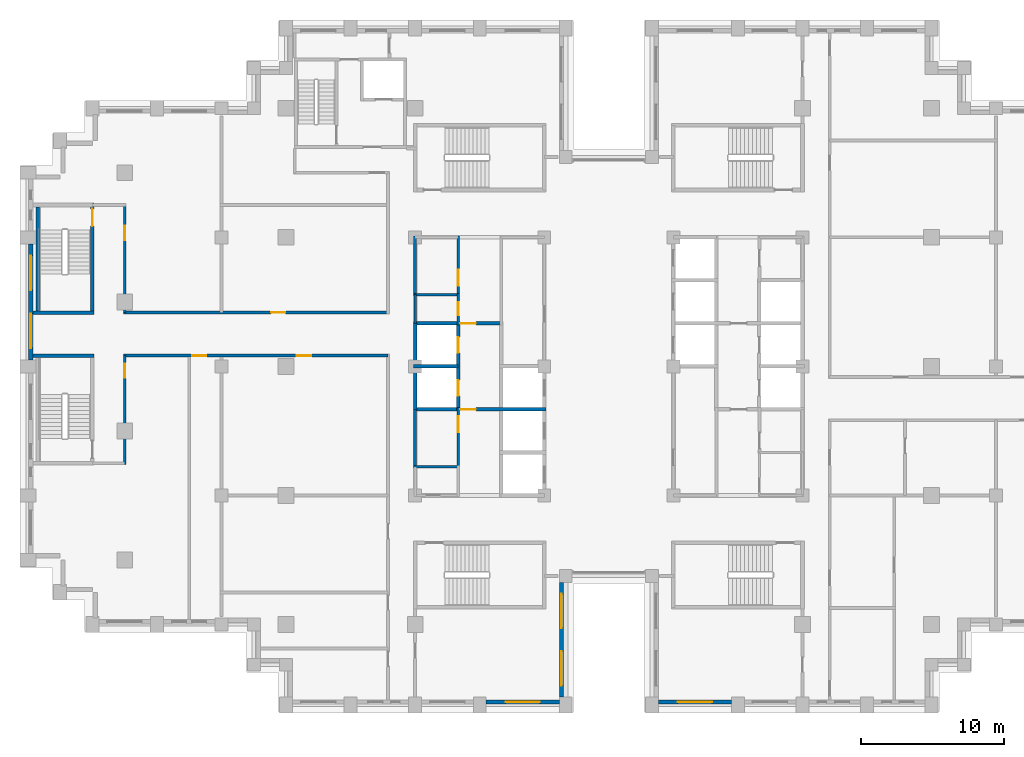
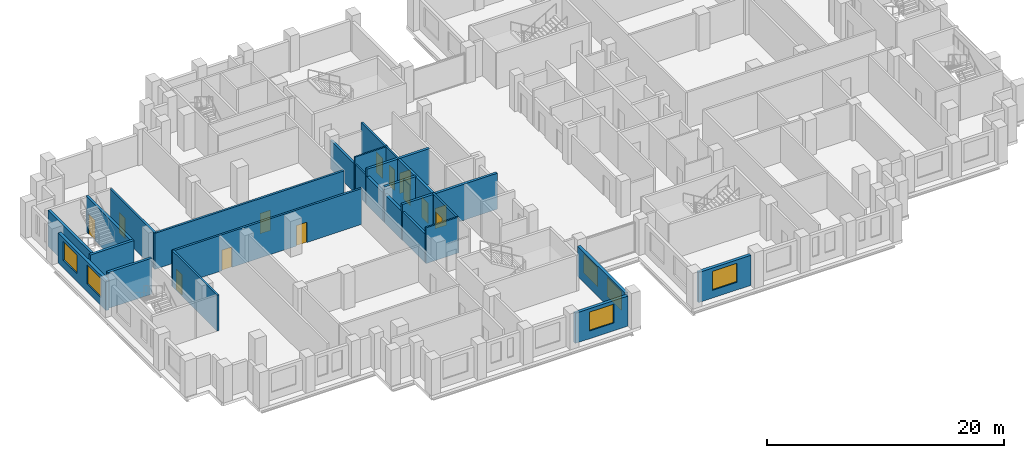
# One storey, part 7 of 15: 25 walls, 13 doors, 6 windows, 19 openings.
"""IFC4 building model written with IfcOpenShell, lengths in metres."""

from ifc_helpers import new_model, si_unit, direction, frame, frame_2d, origin, place, context, subcontext, project, spatial, rectangle, extrude, material, layer, layer_set, type_object, element, fill, save


model = new_model("IFC4")

# Units and contexts
model_context = context("Model", 3, precision=1e-05, world=origin(), true_north=direction((0.0, 1.0)))
body_context = subcontext(model_context, "Body", "Model", "MODEL_VIEW")
ifc_project = project(units=[si_unit("LENGTHUNIT", "METRE"), si_unit("AREAUNIT", "SQUARE_METRE"), si_unit("VOLUMEUNIT", "CUBIC_METRE"), si_unit("PLANEANGLEUNIT", "RADIAN"), si_unit("MASSUNIT", "GRAM", prefix="KILO")], contexts=[model_context])

# Site, building, storey
site_placement = place(None, origin())
site = spatial("IfcSite", under=ifc_project, at=site_placement, CompositionType="ELEMENT")
building_placement = place(site_placement, origin())
building = spatial("IfcBuilding", under=site, at=building_placement, Name="Corbelhall Arena Tower", CompositionType="ELEMENT")
storey_placement = place(building_placement, frame((0.0, 0.0, 142.0)))
storey = spatial("IfcBuildingStorey", under=building, at=storey_placement, Name="L27", CompositionType="ELEMENT", Elevation=142.0)

# Wall, openings, windows
ifc_material_1 = material(Name="Precast concrete C40/50 with granite facing", Category="masonry")
ifc_layer_1 = layer(ifc_material_1, 0.300048828125)
ifc_layer_set_1 = layer_set([ifc_layer_1], Name="EV-IW1 Infill panel 300")
wall_type_1 = type_object("IfcWallType", Name="EV-IW1 Infill panel 300", PredefinedType="SOLIDWALL", material=ifc_layer_set_1)
wall_1_placement = place(storey_placement, frame((-40.300048828125, 8.550048828125, 0.0), z_axis=(0.0, 0.0, 1.0), x_axis=(0.0, -1.0, 0.0)))
wall_1 = element("IfcWall", 1, at=wall_1_placement, inside=storey, type_object=wall_type_1, Name="Infill panel IW1", PredefinedType="SOLIDWALL", context=body_context, shape_type="SweptSolid", body=[
    extrude(rectangle(XDim=8.10009765625, YDim=0.300048828125, at=frame_2d((4.050048828125, 0.0))), origin(), (0.0, 0.0, 1.0), 3.10009765625),
])
opening_1_placement = place(wall_1_placement, frame((0.824951171875, 0.0, 0.800048828125)))
opening_1 = element("IfcOpeningElement", 2, at=opening_1_placement, cuts=wall_1, Name="Opening WN1", PredefinedType="OPENING", context=body_context, shape_type="SweptSolid", body=[
    extrude(rectangle(XDim=2.39990234375, YDim=1.949951171875, at=frame_2d((1.199951171875, 0.97509765625))), frame((0.0, 0.14990234375, 0.0), z_axis=(0.0, -1.0, 0.0), x_axis=(1.0, 0.0, 0.0)), (0.0, 0.0, 1.0), 0.300048828125),
])
opening_2_placement = place(wall_1_placement, frame((4.875, 0.0, 0.800048828125)))
opening_2 = element("IfcOpeningElement", 3, at=opening_2_placement, cuts=wall_1, Name="Opening WN1", PredefinedType="OPENING", context=body_context, shape_type="SweptSolid", body=[
    extrude(rectangle(XDim=2.39990234375, YDim=1.949951171875, at=frame_2d((1.199951171875, 0.97509765625))), frame((0.0, 0.14990234375, 0.0), z_axis=(0.0, -1.0, 0.0), x_axis=(1.0, 0.0, 0.0)), (0.0, 0.0, 1.0), 0.300048828125),
])
ifc_material_2 = material(Name="Aluminium black anodised", Category="aluminium")
window_type = type_object("IfcWindowType", Name="EV-WN1 Office window", PartitioningType="SINGLE_PANEL", PredefinedType="WINDOW", material=ifc_material_2)
window_1_placement = place(opening_1_placement, origin())
window_1 = element("IfcWindow", 4, at=window_1_placement, inside=storey, type_object=window_type, Name="Window WN1", OverallHeight=1.949951171875, OverallWidth=2.39990234375, PartitioningType="SINGLE_PANEL", PredefinedType="WINDOW", context=body_context, shape_type="SweptSolid", body=[
    extrude(rectangle(XDim=2.39990234375, YDim=1.949951171875, at=frame_2d((1.199951171875, 0.97509765625))), frame((0.0, 0.030029296875, 0.0), z_axis=(0.0, -1.0, 0.0), x_axis=(1.0, 0.0, 0.0)), (0.0, 0.0, 1.0), 0.06005859375),
])
fill(opening_1, window_1)
window_2_placement = place(opening_2_placement, origin())
window_2 = element("IfcWindow", 5, at=window_2_placement, inside=storey, type_object=window_type, Name="Window WN1", OverallHeight=1.949951171875, OverallWidth=2.39990234375, PartitioningType="SINGLE_PANEL", PredefinedType="WINDOW", context=body_context, shape_type="SweptSolid", body=[
    extrude(rectangle(XDim=2.39990234375, YDim=1.949951171875, at=frame_2d((1.199951171875, 0.97509765625))), frame((0.0, 0.030029296875, 0.0), z_axis=(0.0, -1.0, 0.0), x_axis=(1.0, 0.0, 0.0)), (0.0, 0.0, 1.0), 0.06005859375),
])
fill(opening_2, window_2)

# Wall, opening, window
wall_2_placement = place(storey_placement, frame((-8.550048828125, -23.39990234375, 0.0), z_axis=(0.0, 0.0, 1.0), x_axis=(1.0, 0.0, 0.0)))
wall_2 = element("IfcWall", 6, at=wall_2_placement, inside=storey, type_object=wall_type_1, Name="Infill panel IW1", PredefinedType="SOLIDWALL", context=body_context, shape_type="SweptSolid", body=[
    extrude(rectangle(XDim=5.10009765625, YDim=0.300048828125, at=frame_2d((2.550048828125, 0.0))), origin(), (0.0, 0.0, 1.0), 3.10009765625),
])
opening_3_placement = place(wall_2_placement, frame((1.35009765625, 0.0, 0.800048828125)))
opening_3 = element("IfcOpeningElement", 7, at=opening_3_placement, cuts=wall_2, Name="Opening WN1", PredefinedType="OPENING", context=body_context, shape_type="SweptSolid", body=[
    extrude(rectangle(XDim=2.39990234375, YDim=1.949951171875, at=frame_2d((1.199951171875, 0.97509765625))), frame((0.0, 0.14990234375, 0.0), z_axis=(0.0, -1.0, 0.0), x_axis=(1.0, 0.0, 0.0)), (0.0, 0.0, 1.0), 0.300048828125),
])
window_3_placement = place(opening_3_placement, origin())
window_3 = element("IfcWindow", 8, at=window_3_placement, inside=storey, type_object=window_type, Name="Window WN1", OverallHeight=1.949951171875, OverallWidth=2.39990234375, PartitioningType="SINGLE_PANEL", PredefinedType="WINDOW", context=body_context, shape_type="SweptSolid", body=[
    extrude(rectangle(XDim=2.39990234375, YDim=1.949951171875, at=frame_2d((1.199951171875, 0.97509765625))), frame((0.0, 0.030029296875, 0.0), z_axis=(0.0, -1.0, 0.0), x_axis=(1.0, 0.0, 0.0)), (0.0, 0.0, 1.0), 0.06005859375),
])
fill(opening_3, window_3)

# Wall, openings, windows
wall_3_placement = place(storey_placement, frame((-3.300048828125, -23.050048828125, 0.0), z_axis=(0.0, 0.0, 1.0), x_axis=(0.0, 1.0, 0.0)))
wall_3 = element("IfcWall", 9, at=wall_3_placement, inside=storey, type_object=wall_type_1, Name="Infill panel IW1", PredefinedType="SOLIDWALL", context=body_context, shape_type="SweptSolid", body=[
    extrude(rectangle(XDim=8.0, YDim=0.300048828125, at=frame_2d((4.0, 0.0))), origin(), (0.0, 0.0, 1.0), 3.10009765625),
])
opening_4_placement = place(wall_3_placement, frame((0.800048828125, 0.0, 0.800048828125)))
opening_4 = element("IfcOpeningElement", 10, at=opening_4_placement, cuts=wall_3, Name="Opening WN1", PredefinedType="OPENING", context=body_context, shape_type="SweptSolid", body=[
    extrude(rectangle(XDim=2.39990234375, YDim=1.949951171875, at=frame_2d((1.199951171875, 0.97509765625))), frame((0.0, 0.14990234375, 0.0), z_axis=(0.0, -1.0, 0.0), x_axis=(1.0, 0.0, 0.0)), (0.0, 0.0, 1.0), 0.300048828125),
])
opening_5_placement = place(wall_3_placement, frame((4.800048828125, 0.0, 0.800048828125)))
opening_5 = element("IfcOpeningElement", 11, at=opening_5_placement, cuts=wall_3, Name="Opening WN1", PredefinedType="OPENING", context=body_context, shape_type="SweptSolid", body=[
    extrude(rectangle(XDim=2.39990234375, YDim=1.949951171875, at=frame_2d((1.199951171875, 0.97509765625))), frame((0.0, 0.14990234375, 0.0), z_axis=(0.0, -1.0, 0.0), x_axis=(1.0, 0.0, 0.0)), (0.0, 0.0, 1.0), 0.300048828125),
])
window_4_placement = place(opening_4_placement, origin())
window_4 = element("IfcWindow", 12, at=window_4_placement, inside=storey, type_object=window_type, Name="Window WN1", OverallHeight=1.949951171875, OverallWidth=2.39990234375, PartitioningType="SINGLE_PANEL", PredefinedType="WINDOW", context=body_context, shape_type="SweptSolid", body=[
    extrude(rectangle(XDim=2.39990234375, YDim=1.949951171875, at=frame_2d((1.199951171875, 0.97509765625))), frame((0.0, 0.030029296875, 0.0), z_axis=(0.0, -1.0, 0.0), x_axis=(1.0, 0.0, 0.0)), (0.0, 0.0, 1.0), 0.06005859375),
])
fill(opening_4, window_4)
window_5_placement = place(opening_5_placement, origin())
window_5 = element("IfcWindow", 13, at=window_5_placement, inside=storey, type_object=window_type, Name="Window WN1", OverallHeight=1.949951171875, OverallWidth=2.39990234375, PartitioningType="SINGLE_PANEL", PredefinedType="WINDOW", context=body_context, shape_type="SweptSolid", body=[
    extrude(rectangle(XDim=2.39990234375, YDim=1.949951171875, at=frame_2d((1.199951171875, 0.97509765625))), frame((0.0, 0.030029296875, 0.0), z_axis=(0.0, -1.0, 0.0), x_axis=(1.0, 0.0, 0.0)), (0.0, 0.0, 1.0), 0.06005859375),
])
fill(opening_5, window_5)

# Wall, opening, window
wall_4_placement = place(storey_placement, frame((3.449951171875, -23.39990234375, 0.0), z_axis=(0.0, 0.0, 1.0), x_axis=(1.0, 0.0, 0.0)))
wall_4 = element("IfcWall", 14, at=wall_4_placement, inside=storey, type_object=wall_type_1, Name="Infill panel IW1", PredefinedType="SOLIDWALL", context=body_context, shape_type="SweptSolid", body=[
    extrude(rectangle(XDim=5.10009765625, YDim=0.300048828125, at=frame_2d((2.550048828125, 0.0))), origin(), (0.0, 0.0, 1.0), 3.10009765625),
])
opening_6_placement = place(wall_4_placement, frame((1.35009765625, 0.0, 0.800048828125)))
opening_6 = element("IfcOpeningElement", 15, at=opening_6_placement, cuts=wall_4, Name="Opening WN1", PredefinedType="OPENING", context=body_context, shape_type="SweptSolid", body=[
    extrude(rectangle(XDim=2.39990234375, YDim=1.949951171875, at=frame_2d((1.199951171875, 0.97509765625))), frame((0.0, 0.14990234375, 0.0), z_axis=(0.0, -1.0, 0.0), x_axis=(1.0, 0.0, 0.0)), (0.0, 0.0, 1.0), 0.300048828125),
])
window_6_placement = place(opening_6_placement, origin())
window_6 = element("IfcWindow", 16, at=window_6_placement, inside=storey, type_object=window_type, Name="Window WN1", OverallHeight=1.949951171875, OverallWidth=2.39990234375, PartitioningType="SINGLE_PANEL", PredefinedType="WINDOW", context=body_context, shape_type="SweptSolid", body=[
    extrude(rectangle(XDim=2.39990234375, YDim=1.949951171875, at=frame_2d((1.199951171875, 0.97509765625))), frame((0.0, 0.030029296875, 0.0), z_axis=(0.0, -1.0, 0.0), x_axis=(1.0, 0.0, 0.0)), (0.0, 0.0, 1.0), 0.06005859375),
])
fill(opening_6, window_6)

# Wall, opening, door
ifc_material_3 = material(Name="Gypsum board on steel stud, acoustic", Category="steel")
ifc_layer_2 = layer(ifc_material_3, 0.199951171875)
ifc_layer_set_2 = layer_set([ifc_layer_2], Name="IN-W-DM200")
wall_type_2 = type_object("IfcWallType", Name="IN-W-DM200", PredefinedType="PARTITIONING", material=ifc_layer_set_2)
wall_5_placement = place(storey_placement, frame((-33.85009765625, 3.75, 0.0), z_axis=(0.0, 0.0, 1.0), x_axis=(1.0, 0.0, 0.0)))
wall_5 = element("IfcWall", 17, at=wall_5_placement, inside=storey, type_object=wall_type_2, Name="Partition 002", PredefinedType="PARTITIONING", context=body_context, shape_type="SweptSolid", body=[
    extrude(rectangle(XDim=18.4501953125, YDim=0.199951171875, at=frame_2d((9.22509765625, 0.0))), origin(), (0.0, 0.0, 1.0), 3.699951171875),
])
opening_7_placement = place(wall_5_placement, frame((10.300048828125, 0.0, 0.0)))
opening_7 = element("IfcOpeningElement", 18, at=opening_7_placement, cuts=wall_5, Name="Opening 07026", PredefinedType="OPENING", context=body_context, shape_type="SweptSolid", body=[
    extrude(rectangle(XDim=1.0, YDim=2.10009765625, at=frame_2d((0.5, 1.050048828125))), frame((0.0, 0.10009765625, 0.0), z_axis=(0.0, -1.0, 0.0), x_axis=(1.0, 0.0, 0.0)), (0.0, 0.0, 1.0), 0.199951171875),
])
ifc_material_4 = material(Name="Steel door set", Category="steel")
door_type_1 = type_object("IfcDoorType", Name="IN-D-SW100", OperationType="NOTDEFINED", PredefinedType="DOOR", material=ifc_material_4)
door_1_placement = place(opening_7_placement, origin())
door_1 = element("IfcDoor", 19, at=door_1_placement, inside=storey, type_object=door_type_1, Name="Door 026", OperationType="SINGLE_SWING_LEFT", OverallHeight=2.10009765625, OverallWidth=1.0, PredefinedType="DOOR", context=body_context, shape_type="SweptSolid", body=[
    extrude(rectangle(XDim=1.0, YDim=2.10009765625, at=frame_2d((0.5, 1.050048828125))), frame((0.0, 0.02490234375, 0.0), z_axis=(0.0, -1.0, 0.0), x_axis=(1.0, 0.0, 0.0)), (0.0, 0.0, 1.0), 0.050048828125),
])
fill(opening_7, door_1)

wall_6_placement = place(storey_placement, frame((-33.75, 0.75, 0.0), z_axis=(0.0, 0.0, 1.0), x_axis=(0.0, -1.0, 0.0)))
wall_6 = element("IfcWall", 20, at=wall_6_placement, inside=storey, type_object=wall_type_2, Name="Partition 004", PredefinedType="PARTITIONING", context=body_context, shape_type="SweptSolid", body=[
    extrude(rectangle(XDim=7.60009765625, YDim=0.199951171875, at=frame_2d((3.800048828125, 0.0))), origin(), (0.0, 0.0, 1.0), 3.699951171875),
])
opening_8_placement = place(wall_6_placement, frame((0.550048828125, 0.0, 0.0)))
opening_8 = element("IfcOpeningElement", 21, at=opening_8_placement, cuts=wall_6, Name="Opening 07041", PredefinedType="OPENING", context=body_context, shape_type="SweptSolid", body=[
    extrude(rectangle(XDim=1.0, YDim=2.10009765625, at=frame_2d((0.5, 1.050048828125))), frame((0.0, 0.10009765625, 0.0), z_axis=(0.0, -1.0, 0.0), x_axis=(1.0, 0.0, 0.0)), (0.0, 0.0, 1.0), 0.199951171875),
])
door_2_placement = place(opening_8_placement, origin())
door_2 = element("IfcDoor", 22, at=door_2_placement, inside=storey, type_object=door_type_1, Name="Door 041", OperationType="SINGLE_SWING_RIGHT", OverallHeight=2.10009765625, OverallWidth=1.0, PredefinedType="DOOR", context=body_context, shape_type="SweptSolid", body=[
    extrude(rectangle(XDim=1.0, YDim=2.10009765625, at=frame_2d((0.5, 1.050048828125))), frame((0.0, 0.02490234375, 0.0), z_axis=(0.0, -1.0, 0.0), x_axis=(1.0, 0.0, 0.0)), (0.0, 0.0, 1.0), 0.050048828125),
])
fill(opening_8, door_2)

wall_7_placement = place(storey_placement, frame((-33.75, 11.25, 0.0), z_axis=(0.0, 0.0, 1.0), x_axis=(0.0, -1.0, 0.0)))
wall_7 = element("IfcWall", 23, at=wall_7_placement, inside=storey, type_object=wall_type_2, Name="Partition 005", PredefinedType="PARTITIONING", context=body_context, shape_type="SweptSolid", body=[
    extrude(rectangle(XDim=7.5, YDim=0.199951171875, at=frame_2d((3.75, 0.0))), origin(), (0.0, 0.0, 1.0), 3.699951171875),
])
opening_9_placement = place(wall_7_placement, frame((1.449951171875, 0.0, 0.0)))
opening_9 = element("IfcOpeningElement", 24, at=opening_9_placement, cuts=wall_7, Name="Opening 07040", PredefinedType="OPENING", context=body_context, shape_type="SweptSolid", body=[
    extrude(rectangle(XDim=1.0, YDim=2.10009765625, at=frame_2d((0.5, 1.050048828125))), frame((0.0, 0.10009765625, 0.0), z_axis=(0.0, -1.0, 0.0), x_axis=(1.0, 0.0, 0.0)), (0.0, 0.0, 1.0), 0.199951171875),
])
door_3_placement = place(opening_9_placement, origin())
door_3 = element("IfcDoor", 25, at=door_3_placement, inside=storey, type_object=door_type_1, Name="Door 040", OperationType="SINGLE_SWING_LEFT", OverallHeight=2.10009765625, OverallWidth=1.0, PredefinedType="DOOR", context=body_context, shape_type="SweptSolid", body=[
    extrude(rectangle(XDim=1.0, YDim=2.10009765625, at=frame_2d((0.5, 1.050048828125))), frame((0.0, 0.02490234375, 0.0), z_axis=(0.0, -1.0, 0.0), x_axis=(1.0, 0.0, 0.0)), (0.0, 0.0, 1.0), 0.050048828125),
])
fill(opening_9, door_3)

# Wall, openings, doors
wall_8_placement = place(storey_placement, frame((-15.39990234375, 0.75, 0.0), z_axis=(0.0, 0.0, 1.0), x_axis=(-1.0, 0.0, 0.0)))
wall_8 = element("IfcWall", 26, at=wall_8_placement, inside=storey, type_object=wall_type_2, Name="Partition 007", PredefinedType="PARTITIONING", context=body_context, shape_type="SweptSolid", body=[
    extrude(rectangle(XDim=18.4501953125, YDim=0.199951171875, at=frame_2d((9.22509765625, 0.0))), origin(), (0.0, 0.0, 1.0), 3.699951171875),
])
opening_10_placement = place(wall_8_placement, frame((5.35009765625, 0.0, 0.0)))
opening_10 = element("IfcOpeningElement", 27, at=opening_10_placement, cuts=wall_8, Name="Opening 07031", PredefinedType="OPENING", context=body_context, shape_type="SweptSolid", body=[
    extrude(rectangle(XDim=1.0, YDim=2.10009765625, at=frame_2d((0.5, 1.050048828125))), frame((0.0, 0.10009765625, 0.0), z_axis=(0.0, -1.0, 0.0), x_axis=(1.0, 0.0, 0.0)), (0.0, 0.0, 1.0), 0.199951171875),
])
opening_11_placement = place(wall_8_placement, frame((12.64990234375, 0.0, 0.0)))
opening_11 = element("IfcOpeningElement", 28, at=opening_11_placement, cuts=wall_8, Name="Opening 07042", PredefinedType="OPENING", context=body_context, shape_type="SweptSolid", body=[
    extrude(rectangle(XDim=1.0, YDim=2.10009765625, at=frame_2d((0.5, 1.050048828125))), frame((0.0, 0.10009765625, 0.0), z_axis=(0.0, -1.0, 0.0), x_axis=(1.0, 0.0, 0.0)), (0.0, 0.0, 1.0), 0.199951171875),
])
door_4_placement = place(opening_10_placement, origin())
door_4 = element("IfcDoor", 29, at=door_4_placement, inside=storey, type_object=door_type_1, Name="Door 031", OperationType="SINGLE_SWING_RIGHT", OverallHeight=2.10009765625, OverallWidth=1.0, PredefinedType="DOOR", context=body_context, shape_type="SweptSolid", body=[
    extrude(rectangle(XDim=1.0, YDim=2.10009765625, at=frame_2d((0.5, 1.050048828125))), frame((0.0, 0.02490234375, 0.0), z_axis=(0.0, -1.0, 0.0), x_axis=(1.0, 0.0, 0.0)), (0.0, 0.0, 1.0), 0.050048828125),
])
fill(opening_10, door_4)
door_5_placement = place(opening_11_placement, origin())
door_5 = element("IfcDoor", 30, at=door_5_placement, inside=storey, type_object=door_type_1, Name="Door 042", OperationType="SINGLE_SWING_LEFT", OverallHeight=2.10009765625, OverallWidth=1.0, PredefinedType="DOOR", context=body_context, shape_type="SweptSolid", body=[
    extrude(rectangle(XDim=1.0, YDim=2.10009765625, at=frame_2d((0.5, 1.050048828125))), frame((0.0, 0.02490234375, 0.0), z_axis=(0.0, -1.0, 0.0), x_axis=(1.0, 0.0, 0.0)), (0.0, 0.0, 1.0), 0.050048828125),
])
fill(opening_11, door_5)

# Wall, opening, door
ifc_material_5 = material(Name="Concrete block wall", Category="concrete")
ifc_layer_3 = layer(ifc_material_5, 0.199951171875)
ifc_layer_set_3 = layer_set([ifc_layer_3], Name="IN-W-RS200")
wall_type_3 = type_object("IfcWallType", Name="IN-W-RS200", PredefinedType="SOLIDWALL", material=ifc_layer_set_3)
wall_9_placement = place(storey_placement, frame((-10.5, -7.074951171875, 0.0), z_axis=(0.0, 0.0, 1.0), x_axis=(0.0, 1.0, 0.0)))
wall_9 = element("IfcWall", 31, at=wall_9_placement, inside=storey, type_object=wall_type_3, Name="Partition 049", PredefinedType="SOLIDWALL", context=body_context, shape_type="SweptSolid", body=[
    extrude(rectangle(XDim=4.199951171875, YDim=0.199951171875, at=frame_2d((2.10009765625, 0.0))), origin(), (0.0, 0.0, 1.0), 3.699951171875),
])
opening_12_placement = place(wall_9_placement, frame((2.5, 0.0, 0.0)))
opening_12 = element("IfcOpeningElement", 32, at=opening_12_placement, cuts=wall_9, Name="Opening 07005", PredefinedType="OPENING", context=body_context, shape_type="SweptSolid", body=[
    extrude(rectangle(XDim=1.10009765625, YDim=2.10009765625, at=frame_2d((0.550048828125, 1.050048828125))), frame((0.0, 0.10009765625, 0.0), z_axis=(0.0, -1.0, 0.0), x_axis=(1.0, 0.0, 0.0)), (0.0, 0.0, 1.0), 0.199951171875),
])
door_type_2 = type_object("IfcDoorType", Name="IN-D-FD110", OperationType="NOTDEFINED", PredefinedType="DOOR", material=ifc_material_4)
door_6_placement = place(opening_12_placement, origin())
door_6 = element("IfcDoor", 33, at=door_6_placement, inside=storey, type_object=door_type_2, Name="Door 005", OperationType="SINGLE_SWING_RIGHT", OverallHeight=2.10009765625, OverallWidth=1.10009765625, PredefinedType="DOOR", context=body_context, shape_type="SweptSolid", body=[
    extrude(rectangle(XDim=1.10009765625, YDim=2.10009765625, at=frame_2d((0.550048828125, 1.050048828125))), frame((0.0, 0.02490234375, 0.0), z_axis=(0.0, -1.0, 0.0), x_axis=(1.0, 0.0, 0.0)), (0.0, 0.0, 1.0), 0.050048828125),
])
fill(opening_12, door_6)

wall_10_placement = place(storey_placement, frame((-10.5, 4.925048828125, 0.0), z_axis=(0.0, 0.0, 1.0), x_axis=(0.0, 1.0, 0.0)))
wall_10 = element("IfcWall", 34, at=wall_10_placement, inside=storey, type_object=wall_type_3, Name="Partition 050", PredefinedType="SOLIDWALL", context=body_context, shape_type="SweptSolid", body=[
    extrude(rectangle(XDim=4.175048828125, YDim=0.199951171875, at=frame_2d((2.08740234375, 0.0))), origin(), (0.0, 0.0, 1.0), 3.699951171875),
])
opening_13_placement = place(wall_10_placement, frame((0.699951171875, 0.0, 0.0)))
opening_13 = element("IfcOpeningElement", 35, at=opening_13_placement, cuts=wall_10, Name="Opening 07007", PredefinedType="OPENING", context=body_context, shape_type="SweptSolid", body=[
    extrude(rectangle(XDim=1.10009765625, YDim=2.10009765625, at=frame_2d((0.550048828125, 1.050048828125))), frame((0.0, 0.10009765625, 0.0), z_axis=(0.0, -1.0, 0.0), x_axis=(1.0, 0.0, 0.0)), (0.0, 0.0, 1.0), 0.199951171875),
])
door_7_placement = place(opening_13_placement, origin())
door_7 = element("IfcDoor", 36, at=door_7_placement, inside=storey, type_object=door_type_2, Name="Door 007", OperationType="SINGLE_SWING_RIGHT", OverallHeight=2.10009765625, OverallWidth=1.10009765625, PredefinedType="DOOR", context=body_context, shape_type="SweptSolid", body=[
    extrude(rectangle(XDim=1.10009765625, YDim=2.10009765625, at=frame_2d((0.550048828125, 1.050048828125))), frame((0.0, 0.02490234375, 0.0), z_axis=(0.0, -1.0, 0.0), x_axis=(1.0, 0.0, 0.0)), (0.0, 0.0, 1.0), 0.050048828125),
])
fill(opening_13, door_7)

# Walls
ifc_layer_4 = layer(ifc_material_5, 0.199951171875)
ifc_layer_set_4 = layer_set([ifc_layer_4], Name="IN-W-RS200 under beam 762 mm")
wall_type_4 = type_object("IfcWallType", Name="IN-W-RS200 under beam 762 mm", PredefinedType="SOLIDWALL", material=ifc_layer_set_4)
wall_11_placement = place(storey_placement, frame((-13.5, -7.0, 0.0), z_axis=(0.0, 0.0, 1.0), x_axis=(0.0, 1.0, 0.0)))
element("IfcWall", 37, at=wall_11_placement, inside=storey, type_object=wall_type_4, Name="Partition 046", PredefinedType="SOLIDWALL", context=body_context, shape_type="SweptSolid", body=[
    extrude(rectangle(XDim=4.0, YDim=0.199951171875, at=frame_2d((2.0, 0.0))), origin(), (0.0, 0.0, 1.0), 2.93798828125),
])
wall_12_placement = place(storey_placement, frame((-13.5, 5.0, 0.0), z_axis=(0.0, 0.0, 1.0), x_axis=(0.0, 1.0, 0.0)))
element("IfcWall", 38, at=wall_12_placement, inside=storey, type_object=wall_type_4, Name="Partition 047", PredefinedType="SOLIDWALL", context=body_context, shape_type="SweptSolid", body=[
    extrude(rectangle(XDim=4.10009765625, YDim=0.199951171875, at=frame_2d((2.050048828125, 0.0))), origin(), (0.0, 0.0, 1.0), 2.93798828125),
])
ifc_material_6 = material(Name="Concrete C40/50", Category="concrete")
ifc_layer_5 = layer(ifc_material_6, 0.25)
ifc_layer_set_5 = layer_set([ifc_layer_5], Name="IN-W-SH250")
wall_type_5 = type_object("IfcWallType", Name="IN-W-SH250", PredefinedType="SOLIDWALL", material=ifc_layer_set_5)
wall_13_placement = place(storey_placement, frame((-13.625, 0.0, 0.0), z_axis=(0.0, 0.0, 1.0), x_axis=(1.0, 0.0, 0.0)))
element("IfcWall", 39, at=wall_13_placement, inside=storey, type_object=wall_type_5, Name="Shaft wall 062", PredefinedType="SOLIDWALL", context=body_context, shape_type="SweptSolid", body=[
    extrude(rectangle(XDim=3.125, YDim=0.25, at=frame_2d((1.5625, 0.0))), origin(), (0.0, 0.0, 1.0), 3.699951171875),
])

# Wall, opening, door
wall_14_placement = place(storey_placement, frame((-13.625, 3.0, 0.0), z_axis=(0.0, 0.0, 1.0), x_axis=(1.0, 0.0, 0.0)))
wall_14 = element("IfcWall", 40, at=wall_14_placement, inside=storey, type_object=wall_type_5, Name="Shaft wall 063", PredefinedType="SOLIDWALL", context=body_context, shape_type="SweptSolid", body=[
    extrude(rectangle(XDim=6.125, YDim=0.25, at=frame_2d((3.0625, 0.0))), origin(), (0.0, 0.0, 1.0), 3.699951171875),
])
opening_14_placement = place(wall_14_placement, frame((3.25, 0.0, 0.0)))
opening_14 = element("IfcOpeningElement", 41, at=opening_14_placement, cuts=wall_14, Name="Opening 07003", PredefinedType="OPENING", context=body_context, shape_type="SweptSolid", body=[
    extrude(rectangle(XDim=1.10009765625, YDim=2.10009765625, at=frame_2d((0.550048828125, 1.050048828125))), frame((0.0, 0.125, 0.0), z_axis=(0.0, -1.0, 0.0), x_axis=(1.0, 0.0, 0.0)), (0.0, 0.0, 1.0), 0.25),
])
door_8_placement = place(opening_14_placement, origin())
door_8 = element("IfcDoor", 42, at=door_8_placement, inside=storey, type_object=door_type_2, Name="Door 003", OperationType="SINGLE_SWING_RIGHT", OverallHeight=2.10009765625, OverallWidth=1.10009765625, PredefinedType="DOOR", context=body_context, shape_type="SweptSolid", body=[
    extrude(rectangle(XDim=1.10009765625, YDim=2.10009765625, at=frame_2d((0.550048828125, 1.050048828125))), frame((0.0, 0.02490234375, 0.0), z_axis=(0.0, -1.0, 0.0), x_axis=(1.0, 0.0, 0.0)), (0.0, 0.0, 1.0), 0.050048828125),
])
fill(opening_14, door_8)

wall_15_placement = place(storey_placement, frame((-13.625, -3.0, 0.0), z_axis=(0.0, 0.0, 1.0), x_axis=(1.0, 0.0, 0.0)))
wall_15 = element("IfcWall", 43, at=wall_15_placement, inside=storey, type_object=wall_type_5, Name="Shaft wall 065", PredefinedType="SOLIDWALL", context=body_context, shape_type="SweptSolid", body=[
    extrude(rectangle(XDim=9.25, YDim=0.25, at=frame_2d((4.625, 0.0))), origin(), (0.0, 0.0, 1.0), 3.699951171875),
])
opening_15_placement = place(wall_15_placement, frame((3.25, 0.0, 0.0)))
opening_15 = element("IfcOpeningElement", 44, at=opening_15_placement, cuts=wall_15, Name="Opening 07002", PredefinedType="OPENING", context=body_context, shape_type="SweptSolid", body=[
    extrude(rectangle(XDim=1.10009765625, YDim=2.10009765625, at=frame_2d((0.550048828125, 1.050048828125))), frame((0.0, 0.125, 0.0), z_axis=(0.0, -1.0, 0.0), x_axis=(1.0, 0.0, 0.0)), (0.0, 0.0, 1.0), 0.25),
])
door_9_placement = place(opening_15_placement, origin())
door_9 = element("IfcDoor", 45, at=door_9_placement, inside=storey, type_object=door_type_2, Name="Door 002", OperationType="SINGLE_SWING_LEFT", OverallHeight=2.10009765625, OverallWidth=1.10009765625, PredefinedType="DOOR", context=body_context, shape_type="SweptSolid", body=[
    extrude(rectangle(XDim=1.10009765625, YDim=2.10009765625, at=frame_2d((0.550048828125, 1.050048828125))), frame((0.0, 0.02490234375, 0.0), z_axis=(0.0, -1.0, 0.0), x_axis=(1.0, 0.0, 0.0)), (0.0, 0.0, 1.0), 0.050048828125),
])
fill(opening_15, door_9)

# Wall, openings, doors
wall_16_placement = place(storey_placement, frame((-10.5, -3.125, 0.0), z_axis=(0.0, 0.0, 1.0), x_axis=(0.0, 1.0, 0.0)))
wall_16 = element("IfcWall", 46, at=wall_16_placement, inside=storey, type_object=wall_type_5, Name="Shaft wall 066", PredefinedType="SOLIDWALL", context=body_context, shape_type="SweptSolid", body=[
    extrude(rectangle(XDim=6.25, YDim=0.25, at=frame_2d((3.125, 0.0))), origin(), (0.0, 0.0, 1.0), 3.699951171875),
])
opening_16_placement = place(wall_16_placement, frame((1.074951171875, 0.0, 0.0)))
opening_16 = element("IfcOpeningElement", 47, at=opening_16_placement, cuts=wall_16, Name="Opening LD", PredefinedType="OPENING", context=body_context, shape_type="SweptSolid", body=[
    extrude(rectangle(XDim=1.10009765625, YDim=2.10009765625, at=frame_2d((0.550048828125, 1.050048828125))), frame((0.0, 0.125, 0.0), z_axis=(0.0, -1.0, 0.0), x_axis=(1.0, 0.0, 0.0)), (0.0, 0.0, 1.0), 0.25),
])
opening_17_placement = place(wall_16_placement, frame((4.074951171875, 0.0, 0.0)))
opening_17 = element("IfcOpeningElement", 48, at=opening_17_placement, cuts=wall_16, Name="Opening LD", PredefinedType="OPENING", context=body_context, shape_type="SweptSolid", body=[
    extrude(rectangle(XDim=1.10009765625, YDim=2.10009765625, at=frame_2d((0.550048828125, 1.050048828125))), frame((0.0, 0.125, 0.0), z_axis=(0.0, -1.0, 0.0), x_axis=(1.0, 0.0, 0.0)), (0.0, 0.0, 1.0), 0.25),
])
door_type_3 = type_object("IfcDoorType", Name="IN-D-LD110", OperationType="NOTDEFINED", PredefinedType="DOOR", material=ifc_material_4)
door_10_placement = place(opening_16_placement, origin())
door_10 = element("IfcDoor", 49, at=door_10_placement, inside=storey, type_object=door_type_3, Name="Landing door W3", OperationType="SLIDING_TO_LEFT", OverallHeight=2.10009765625, OverallWidth=1.10009765625, PredefinedType="DOOR", context=body_context, shape_type="SweptSolid", body=[
    extrude(rectangle(XDim=1.10009765625, YDim=2.10009765625, at=frame_2d((0.550048828125, 1.050048828125))), frame((0.0, 0.02490234375, 0.0), z_axis=(0.0, -1.0, 0.0), x_axis=(1.0, 0.0, 0.0)), (0.0, 0.0, 1.0), 0.050048828125),
])
fill(opening_16, door_10)
door_11_placement = place(opening_17_placement, origin())
door_11 = element("IfcDoor", 50, at=door_11_placement, inside=storey, type_object=door_type_3, Name="Landing door W4", OperationType="SLIDING_TO_LEFT", OverallHeight=2.10009765625, OverallWidth=1.10009765625, PredefinedType="DOOR", context=body_context, shape_type="SweptSolid", body=[
    extrude(rectangle(XDim=1.10009765625, YDim=2.10009765625, at=frame_2d((0.550048828125, 1.050048828125))), frame((0.0, 0.02490234375, 0.0), z_axis=(0.0, -1.0, 0.0), x_axis=(1.0, 0.0, 0.0)), (0.0, 0.0, 1.0), 0.050048828125),
])
fill(opening_17, door_11)

# Walls
ifc_layer_6 = layer(ifc_material_6, 0.25)
ifc_layer_set_6 = layer_set([ifc_layer_6], Name="IN-W-SH250 under beam 762 mm")
wall_type_6 = type_object("IfcWallType", Name="IN-W-SH250 under beam 762 mm", PredefinedType="SOLIDWALL", material=ifc_layer_set_6)
wall_17_placement = place(storey_placement, frame((-13.5, -3.0, 0.0), z_axis=(0.0, 0.0, 1.0), x_axis=(0.0, 1.0, 0.0)))
element("IfcWall", 51, at=wall_17_placement, inside=storey, type_object=wall_type_6, Name="Shaft wall 064", PredefinedType="SOLIDWALL", context=body_context, shape_type="SweptSolid", body=[
    extrude(rectangle(XDim=6.0, YDim=0.25, at=frame_2d((3.0, 0.0))), origin(), (0.0, 0.0, 1.0), 2.93798828125),
])
ifc_layer_7 = layer(ifc_material_6, 0.25)
ifc_layer_set_7 = layer_set([ifc_layer_7], Name="IN-W-ST250")
wall_type_7 = type_object("IfcWallType", Name="IN-W-ST250", PredefinedType="SOLIDWALL", material=ifc_layer_set_7)
wall_18_placement = place(storey_placement, frame((-40.14990234375, 3.75, 0.0), z_axis=(0.0, 0.0, 1.0), x_axis=(1.0, 0.0, 0.0)))
element("IfcWall", 52, at=wall_18_placement, inside=storey, type_object=wall_type_7, Name="Shaft wall 083", PredefinedType="SOLIDWALL", context=body_context, shape_type="SweptSolid", body=[
    extrude(rectangle(XDim=4.27490234375, YDim=0.25, at=frame_2d((2.137451171875, 0.0))), origin(), (0.0, 0.0, 1.0), 3.699951171875),
])

# Wall, opening, door
wall_19_placement = place(storey_placement, frame((-36.0, 11.375, 0.0), z_axis=(0.0, 0.0, 1.0), x_axis=(0.0, -1.0, 0.0)))
wall_19 = element("IfcWall", 53, at=wall_19_placement, inside=storey, type_object=wall_type_7, Name="Shaft wall 087", PredefinedType="SOLIDWALL", context=body_context, shape_type="SweptSolid", body=[
    extrude(rectangle(XDim=7.625, YDim=0.25, at=frame_2d((3.8125, 0.0))), origin(), (0.0, 0.0, 1.0), 3.699951171875),
])
opening_18_placement = place(wall_19_placement, frame((0.39990234375, 0.0, 0.0)))
opening_18 = element("IfcOpeningElement", 54, at=opening_18_placement, cuts=wall_19, Name="Opening 07018", PredefinedType="OPENING", context=body_context, shape_type="SweptSolid", body=[
    extrude(rectangle(XDim=1.199951171875, YDim=2.10009765625, at=frame_2d((0.60009765625, 1.050048828125))), frame((0.0, 0.125, 0.0), z_axis=(0.0, -1.0, 0.0), x_axis=(1.0, 0.0, 0.0)), (0.0, 0.0, 1.0), 0.25),
])
door_type_4 = type_object("IfcDoorType", Name="IN-D-ST120", OperationType="NOTDEFINED", PredefinedType="DOOR", material=ifc_material_4)
door_12_placement = place(opening_18_placement, origin())
door_12 = element("IfcDoor", 55, at=door_12_placement, inside=storey, type_object=door_type_4, Name="Door 018", OperationType="SINGLE_SWING_LEFT", OverallHeight=2.10009765625, OverallWidth=1.199951171875, PredefinedType="DOOR", context=body_context, shape_type="SweptSolid", body=[
    extrude(rectangle(XDim=1.199951171875, YDim=2.10009765625, at=frame_2d((0.60009765625, 1.050048828125))), frame((0.0, 0.02490234375, 0.0), z_axis=(0.0, -1.0, 0.0), x_axis=(1.0, 0.0, 0.0)), (0.0, 0.0, 1.0), 0.050048828125),
])
fill(opening_18, door_12)

# Walls
wall_20_placement = place(storey_placement, frame((-35.875, 0.75, 0.0), z_axis=(0.0, 0.0, 1.0), x_axis=(-1.0, 0.0, 0.0)))
element("IfcWall", 56, at=wall_20_placement, inside=storey, type_object=wall_type_7, Name="Shaft wall 088", PredefinedType="SOLIDWALL", context=body_context, shape_type="SweptSolid", body=[
    extrude(rectangle(XDim=4.27490234375, YDim=0.25, at=frame_2d((2.137451171875, 0.0))), origin(), (0.0, 0.0, 1.0), 3.699951171875),
])
wall_21_placement = place(storey_placement, frame((-39.824951171875, 3.875, 0.0), z_axis=(0.0, 0.0, 1.0), x_axis=(0.0, 1.0, 0.0)))
element("IfcWall", 57, at=wall_21_placement, inside=storey, type_object=wall_type_7, Name="Shaft wall SC1 facade side", PredefinedType="SOLIDWALL", context=body_context, shape_type="SweptSolid", body=[
    extrude(rectangle(XDim=7.25, YDim=0.25, at=frame_2d((3.625, 0.0))), origin(), (0.0, 0.0, 1.0), 3.699951171875),
])
ifc_material_7 = material(Name="Gypsum board on steel stud, moisture resistant", Category="steel")
ifc_layer_8 = layer(ifc_material_7, 0.14990234375)
ifc_layer_set_8 = layer_set([ifc_layer_8], Name="IN-W-WC150")
wall_type_8 = type_object("IfcWallType", Name="IN-W-WC150", PredefinedType="PARTITIONING", material=ifc_layer_set_8)
for number, where, z_axis, x_axis, name in (
    (58, (-13.60009765625, -7.0, 0.0), (0.0, 0.0, 1.0), (1.0, 0.0, 0.0), "Partition 111"),
    (59, (-13.60009765625, 5.0, 0.0), (0.0, 0.0, 1.0), (1.0, 0.0, 0.0), "Partition 112"),
):
    element("IfcWall", number, at=place(storey_placement, frame(where, z_axis=z_axis, x_axis=x_axis)), inside=storey, type_object=wall_type_8, Name=name, PredefinedType="PARTITIONING", context=body_context, shape_type="SweptSolid", body=[
        extrude(rectangle(XDim=3.10009765625, YDim=0.14990234375, at=frame_2d((1.550048828125, 0.0))), origin(), (0.0, 0.0, 1.0), 3.699951171875),
    ])

# Wall, opening, door
wall_22_placement = place(storey_placement, frame((-10.5, 2.875, 0.0), z_axis=(0.0, 0.0, 1.0), x_axis=(0.0, 1.0, 0.0)))
wall_22 = element("IfcWall", 60, at=wall_22_placement, inside=storey, type_object=wall_type_8, Name="Partition 117", PredefinedType="PARTITIONING", context=body_context, shape_type="SweptSolid", body=[
    extrude(rectangle(XDim=2.199951171875, YDim=0.14990234375, at=frame_2d((1.10009765625, 0.0))), origin(), (0.0, 0.0, 1.0), 3.699951171875),
])
opening_19_placement = place(wall_22_placement, frame((0.699951171875, 0.0, 0.0)))
opening_19 = element("IfcOpeningElement", 61, at=opening_19_placement, cuts=wall_22, Name="Opening 07006", PredefinedType="OPENING", context=body_context, shape_type="SweptSolid", body=[
    extrude(rectangle(XDim=0.89990234375, YDim=2.10009765625, at=frame_2d((0.449951171875, 1.050048828125))), frame((0.0, 0.074951171875, 0.0), z_axis=(0.0, -1.0, 0.0), x_axis=(1.0, 0.0, 0.0)), (0.0, 0.0, 1.0), 0.14990234375),
])
ifc_material_8 = material(Name="Timber door set", Category="wood")
door_type_5 = type_object("IfcDoorType", Name="IN-D-SW90", OperationType="NOTDEFINED", PredefinedType="DOOR", material=ifc_material_8)
door_13_placement = place(opening_19_placement, origin())
door_13 = element("IfcDoor", 62, at=door_13_placement, inside=storey, type_object=door_type_5, Name="Door 006", OperationType="SINGLE_SWING_LEFT", OverallHeight=2.10009765625, OverallWidth=0.89990234375, PredefinedType="DOOR", context=body_context, shape_type="SweptSolid", body=[
    extrude(rectangle(XDim=0.89990234375, YDim=2.10009765625, at=frame_2d((0.449951171875, 1.050048828125))), frame((0.0, 0.02490234375, 0.0), z_axis=(0.0, -1.0, 0.0), x_axis=(1.0, 0.0, 0.0)), (0.0, 0.0, 1.0), 0.050048828125),
])
fill(opening_19, door_13)

# Wall
ifc_layer_9 = layer(ifc_material_7, 0.14990234375)
ifc_layer_set_9 = layer_set([ifc_layer_9], Name="IN-W-WC150 under beam 762 mm")
wall_type_9 = type_object("IfcWallType", Name="IN-W-WC150 under beam 762 mm", PredefinedType="PARTITIONING", material=ifc_layer_set_9)
wall_23_placement = place(storey_placement, frame((-13.5, 3.0, 0.0), z_axis=(0.0, 0.0, 1.0), x_axis=(0.0, 1.0, 0.0)))
element("IfcWall", 63, at=wall_23_placement, inside=storey, type_object=wall_type_9, Name="Partition 114", PredefinedType="PARTITIONING", context=body_context, shape_type="SweptSolid", body=[
    extrude(rectangle(XDim=2.0, YDim=0.14990234375, at=frame_2d((1.0, 0.0))), origin(), (0.0, 0.0, 1.0), 2.93798828125),
])

save(model, "model.ifc")
